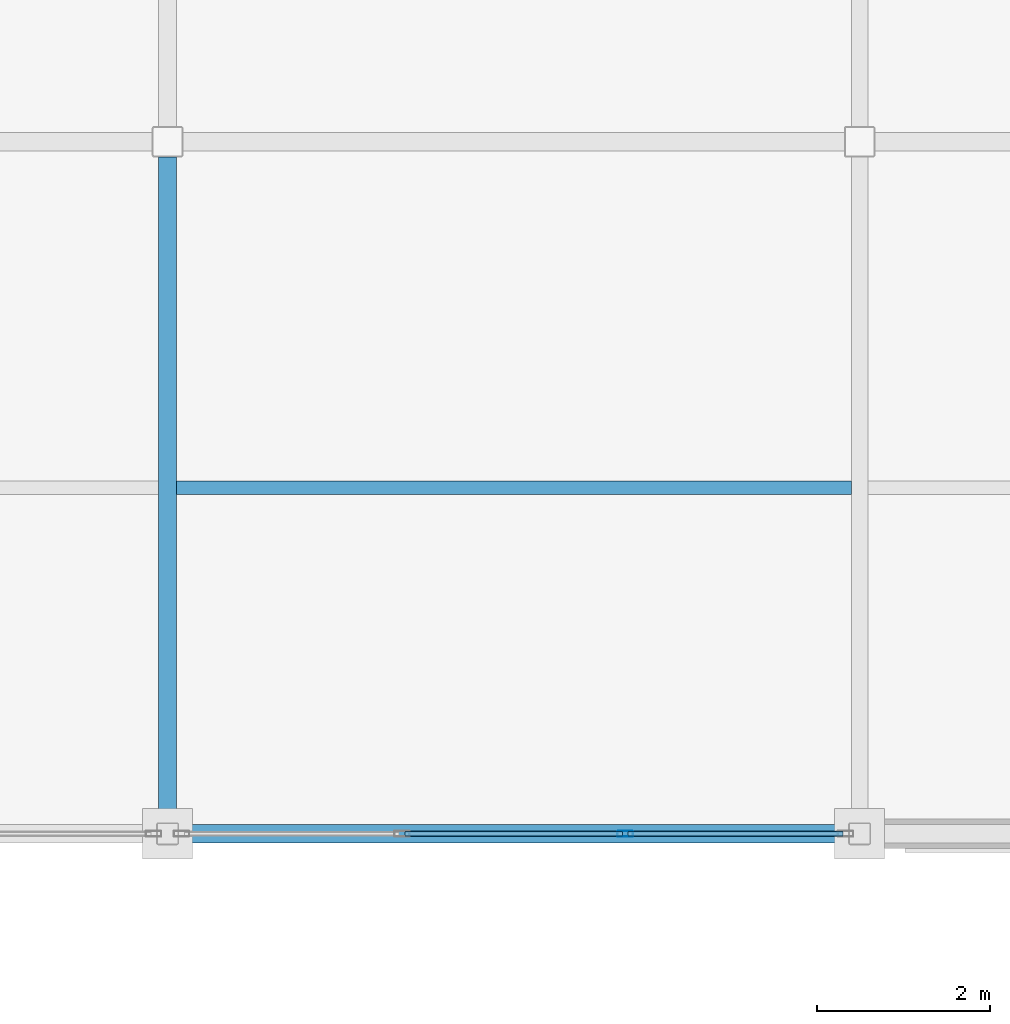
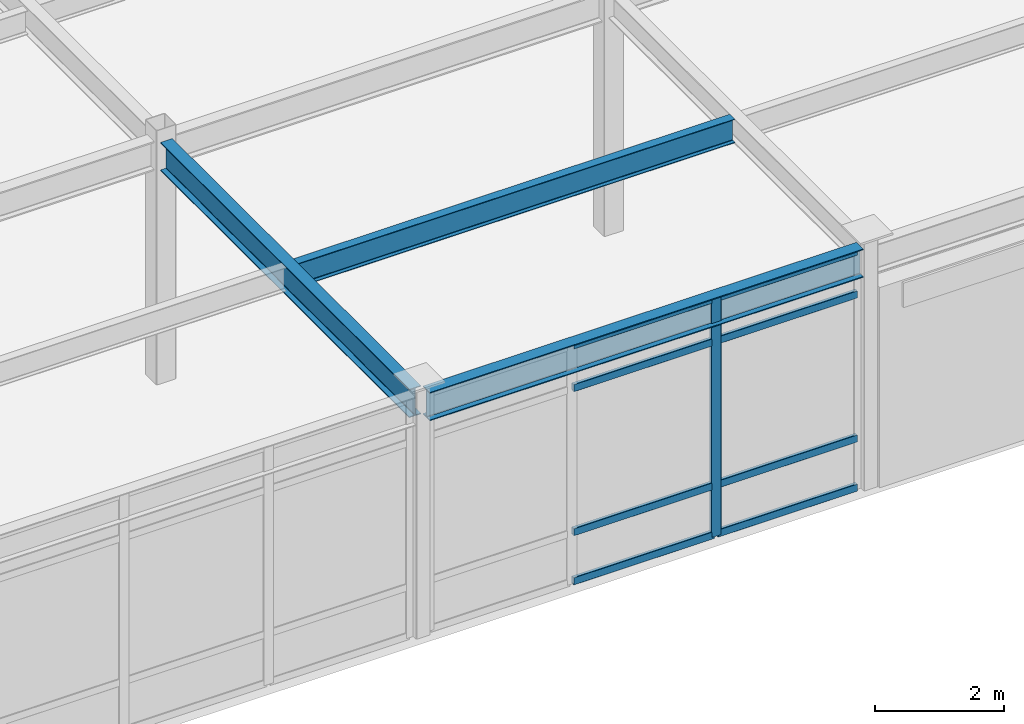
# One storey, part 59 of 117: 9 members, 3 beams, 1 element without a shape of its own.
"""IFC4 building model written with IfcOpenShell, lengths in metres."""

from ifc_helpers import new_model, si_unit, direction, frame, origin, origin_2d, place, context, subcontext, project, spatial, hollow_rectangle, i_section, extrude, material, material_profile, profile_set, type_object, element, aggregate, save


model = new_model("IFC4")

# Units and contexts
model_context = context("Model", 3, precision=1e-05, world=origin(), true_north=direction((0.0, 1.0)))
body_context = subcontext(model_context, "Body", "Model", "MODEL_VIEW")
ifc_project = project(units=[si_unit("LENGTHUNIT", "METRE"), si_unit("AREAUNIT", "SQUARE_METRE"), si_unit("VOLUMEUNIT", "CUBIC_METRE"), si_unit("PLANEANGLEUNIT", "RADIAN"), si_unit("MASSUNIT", "GRAM", prefix="KILO")], contexts=[model_context])

# Site, building, storey
site_placement = place(None, origin())
site = spatial("IfcSite", under=ifc_project, at=site_placement, CompositionType="ELEMENT")
building_placement = place(site_placement, origin())
building = spatial("IfcBuilding", under=site, at=building_placement, Name="Solmirada Galleria", CompositionType="ELEMENT")
storey_placement = place(building_placement, frame((0.0, 0.0, 5.60009765625)))
storey = spatial("IfcBuildingStorey", under=building, at=storey_placement, Name="L01", CompositionType="ELEMENT", Elevation=5.60009765625)

# Beams
ifc_material_1 = material(Name="Steel S355 / ASTM A992 Grade 50", Category="steel")
ifc_material_profile_1 = material_profile(ifc_material_1, i_section(OverallWidth=0.2099609375, OverallDepth=0.537109375, WebThickness=0.010986328125, FlangeThickness=0.017333984375, FilletRadius=0.014892578125, at=origin_2d()), Name="W21X68")
ifc_profile_set_1 = profile_set([ifc_material_profile_1], Name="Steel S355 / ASTM A992 Grade 50")
beam_type_1 = type_object("IfcBeamType", Name="BM-GIRD-W21B", PredefinedType="BEAM", material=ifc_profile_set_1)
beam_1_placement = place(storey_placement, frame((128.126953125, 72.0, 4.29150390625), z_axis=(1.0, 0.0, 0.0), x_axis=(0.0, 1.0, 0.0)))
element("IfcBeam", 1, at=beam_1_placement, inside=storey, type_object=beam_type_1, Name="Primary beam L02 X(128..136, 72)", PredefinedType="BEAM", context=body_context, shape_type="SweptSolid", body=[
    extrude(i_section(OverallWidth=0.2099609375, OverallDepth=0.537109375, WebThickness=0.010986328125, FlangeThickness=0.017333984375, FilletRadius=0.014892578125, at=origin_2d()), origin(), (0.0, 0.0, 1.0), 7.74609375),
])
beam_2_placement = place(storey_placement, frame((128.0, 72.126953125, 4.29150390625), z_axis=(0.0, 1.0, 0.0), x_axis=(-1.0, 0.0, 0.0)))
element("IfcBeam", 2, at=beam_2_placement, inside=storey, type_object=beam_type_1, Name="Primary girder L02 Y(128, 72..80)", PredefinedType="BEAM", context=body_context, shape_type="SweptSolid", body=[
    extrude(i_section(OverallWidth=0.2099609375, OverallDepth=0.537109375, WebThickness=0.010986328125, FlangeThickness=0.017333984375, FilletRadius=0.014892578125, at=origin_2d()), origin(), (0.0, 0.0, 1.0), 7.695068359375),
])
ifc_material_profile_2 = material_profile(ifc_material_1, i_section(OverallWidth=0.152099609375, OverallDepth=0.449951171875, WebThickness=0.007568359375, FlangeThickness=0.0107421875, FilletRadius=0.011962890625, at=origin_2d()), Name="W18X35")
ifc_profile_set_2 = profile_set([ifc_material_profile_2], Name="Steel S355 / ASTM A992 Grade 50")
beam_type_2 = type_object("IfcBeamType", Name="BM-JST-W18B", PredefinedType="JOIST", material=ifc_profile_set_2)
beam_3_placement = place(storey_placement, frame((128.10498046875, 76.0, 4.3349609375), z_axis=(1.0, 0.0, 0.0), x_axis=(0.0, 1.0, 0.0)))
element("IfcBeam", 3, at=beam_3_placement, inside=storey, type_object=beam_type_2, Name="Composite floor joist L02 (128..136, 76.0)", PredefinedType="JOIST", context=body_context, shape_type="SweptSolid", body=[
    extrude(i_section(OverallWidth=0.152099609375, OverallDepth=0.449951171875, WebThickness=0.007568359375, FlangeThickness=0.0107421875, FilletRadius=0.011962890625, at=origin_2d()), origin(), (0.0, 0.0, 1.0), 7.798095703125),
])

# Curtain wall, members
ifc_material_2 = material(Name="Impact-resistant low-E double glazing", Category="glass")
curtain_wall_type = type_object("IfcCurtainWallType", Name="CW-FZ4-L01-B3-L077", PredefinedType="NOTDEFINED", material=ifc_material_2)
curtain_wall_placement = place(storey_placement, origin())
curtain_wall = element("IfcCurtainWall", 4, at=curtain_wall_placement, inside=storey, type_object=curtain_wall_type, Name="Terrace and arcade storefront CW-L01-062", PredefinedType="NOTDEFINED")
ifc_material_3 = material(Name="Anodised aluminium framing", Category="aluminium")
ifc_material_profile_3 = material_profile(ifc_material_3, hollow_rectangle(XDim=0.06494140625, YDim=0.179931640625, WallThickness=0.00390625, InnerFilletRadius=0.00390625, OuterFilletRadius=0.008056640625, at=origin_2d()), Name="ALU-MULL-180X65")
ifc_profile_set_3 = profile_set([ifc_material_profile_3], Name="Anodised aluminium framing")
member_type_1 = type_object("IfcMemberType", Name="CW-MULL-180", PredefinedType="MULLION", material=ifc_profile_set_3)
member_1_placement = place(storey_placement, frame((133.290283203125, 72.0, 0.0), z_axis=(0.0, 0.0, 1.0), x_axis=(0.0, -1.0, 0.0)))
member_1 = element("IfcMember", 5, at=member_1_placement, type_object=member_type_1, Name="CW16 mullion 2", PredefinedType="MULLION", context=body_context, shape_type="SweptSolid", body=[
    extrude(hollow_rectangle(XDim=0.06494140625, YDim=0.179931640625, WallThickness=0.00390625, InnerFilletRadius=0.00390625, OuterFilletRadius=0.008056640625, at=origin_2d()), origin(), (0.0, 0.0, 1.0), 4.52001953125),
])
ifc_material_profile_4 = material_profile(ifc_material_3, hollow_rectangle(XDim=0.06494140625, YDim=0.139892578125, WallThickness=0.00341796875, InnerFilletRadius=0.00341796875, OuterFilletRadius=0.007080078125, at=origin_2d()), Name="ALU-TRAN-140X65")
ifc_profile_set_4 = profile_set([ifc_material_profile_4], Name="Anodised aluminium framing")
member_type_2 = type_object("IfcMemberType", Name="CW-TRAN-140", PredefinedType="USERDEFINED", material=ifc_profile_set_4)
member_2_placement = place(storey_placement, frame((135.805908203125, 72.0, 0.032470703125), z_axis=(-1.0, 0.0, 0.0), x_axis=(0.0, -1.0, 0.0)))
member_2 = element("IfcMember", 6, at=member_2_placement, type_object=member_type_2, Name="CW16 transom 1.1", ObjectType="TRANSOM", PredefinedType="USERDEFINED", context=body_context, shape_type="SweptSolid", body=[
    extrude(hollow_rectangle(XDim=0.06494140625, YDim=0.139892578125, WallThickness=0.00341796875, InnerFilletRadius=0.00341796875, OuterFilletRadius=0.007080078125, at=origin_2d()), origin(), (0.0, 0.0, 1.0), 2.483154296875),
])
member_3_placement = place(storey_placement, frame((135.805908203125, 72.0, 0.9599609375), z_axis=(-1.0, 0.0, 0.0), x_axis=(0.0, -1.0, 0.0)))
member_3 = element("IfcMember", 7, at=member_3_placement, type_object=member_type_2, Name="CW16 transom 1.2", ObjectType="TRANSOM", PredefinedType="USERDEFINED", context=body_context, shape_type="SweptSolid", body=[
    extrude(hollow_rectangle(XDim=0.06494140625, YDim=0.139892578125, WallThickness=0.00341796875, InnerFilletRadius=0.00341796875, OuterFilletRadius=0.007080078125, at=origin_2d()), origin(), (0.0, 0.0, 1.0), 2.483154296875),
])
member_4_placement = place(storey_placement, frame((135.805908203125, 72.0, 3.679931640625), z_axis=(-1.0, 0.0, 0.0), x_axis=(0.0, -1.0, 0.0)))
member_4 = element("IfcMember", 8, at=member_4_placement, type_object=member_type_2, Name="CW16 transom 1.3", ObjectType="TRANSOM", PredefinedType="USERDEFINED", context=body_context, shape_type="SweptSolid", body=[
    extrude(hollow_rectangle(XDim=0.06494140625, YDim=0.139892578125, WallThickness=0.00341796875, InnerFilletRadius=0.00341796875, OuterFilletRadius=0.007080078125, at=origin_2d()), origin(), (0.0, 0.0, 1.0), 2.483154296875),
])
member_5_placement = place(storey_placement, frame((135.805908203125, 72.0, 4.4873046875), z_axis=(-1.0, 0.0, 0.0), x_axis=(0.0, -1.0, 0.0)))
member_5 = element("IfcMember", 9, at=member_5_placement, type_object=member_type_2, Name="CW16 transom 1.4", ObjectType="TRANSOM", PredefinedType="USERDEFINED", context=body_context, shape_type="SweptSolid", body=[
    extrude(hollow_rectangle(XDim=0.06494140625, YDim=0.139892578125, WallThickness=0.00341796875, InnerFilletRadius=0.00341796875, OuterFilletRadius=0.007080078125, at=origin_2d()), origin(), (0.0, 0.0, 1.0), 2.483154296875),
])
member_6_placement = place(storey_placement, frame((133.2578125, 72.0, 0.032470703125), z_axis=(-1.0, 0.0, 0.0), x_axis=(0.0, -1.0, 0.0)))
member_6 = element("IfcMember", 10, at=member_6_placement, type_object=member_type_2, Name="CW16 transom 2.1", ObjectType="TRANSOM", PredefinedType="USERDEFINED", context=body_context, shape_type="SweptSolid", body=[
    extrude(hollow_rectangle(XDim=0.06494140625, YDim=0.139892578125, WallThickness=0.00341796875, InnerFilletRadius=0.00341796875, OuterFilletRadius=0.007080078125, at=origin_2d()), origin(), (0.0, 0.0, 1.0), 2.515625),
])
member_7_placement = place(storey_placement, frame((133.2578125, 72.0, 0.9599609375), z_axis=(-1.0, 0.0, 0.0), x_axis=(0.0, -1.0, 0.0)))
member_7 = element("IfcMember", 11, at=member_7_placement, type_object=member_type_2, Name="CW16 transom 2.2", ObjectType="TRANSOM", PredefinedType="USERDEFINED", context=body_context, shape_type="SweptSolid", body=[
    extrude(hollow_rectangle(XDim=0.06494140625, YDim=0.139892578125, WallThickness=0.00341796875, InnerFilletRadius=0.00341796875, OuterFilletRadius=0.007080078125, at=origin_2d()), origin(), (0.0, 0.0, 1.0), 2.515625),
])
member_8_placement = place(storey_placement, frame((133.2578125, 72.0, 3.679931640625), z_axis=(-1.0, 0.0, 0.0), x_axis=(0.0, -1.0, 0.0)))
member_8 = element("IfcMember", 12, at=member_8_placement, type_object=member_type_2, Name="CW16 transom 2.3", ObjectType="TRANSOM", PredefinedType="USERDEFINED", context=body_context, shape_type="SweptSolid", body=[
    extrude(hollow_rectangle(XDim=0.06494140625, YDim=0.139892578125, WallThickness=0.00341796875, InnerFilletRadius=0.00341796875, OuterFilletRadius=0.007080078125, at=origin_2d()), origin(), (0.0, 0.0, 1.0), 2.515625),
])
member_9_placement = place(storey_placement, frame((133.2578125, 72.0, 4.4873046875), z_axis=(-1.0, 0.0, 0.0), x_axis=(0.0, -1.0, 0.0)))
member_9 = element("IfcMember", 13, at=member_9_placement, type_object=member_type_2, Name="CW16 transom 2.4", ObjectType="TRANSOM", PredefinedType="USERDEFINED", context=body_context, shape_type="SweptSolid", body=[
    extrude(hollow_rectangle(XDim=0.06494140625, YDim=0.139892578125, WallThickness=0.00341796875, InnerFilletRadius=0.00341796875, OuterFilletRadius=0.007080078125, at=origin_2d()), origin(), (0.0, 0.0, 1.0), 2.515625),
])
aggregate(curtain_wall, [member_1, member_2, member_3, member_4, member_5, member_6, member_7, member_8, member_9])

save(model, "model.ifc")
